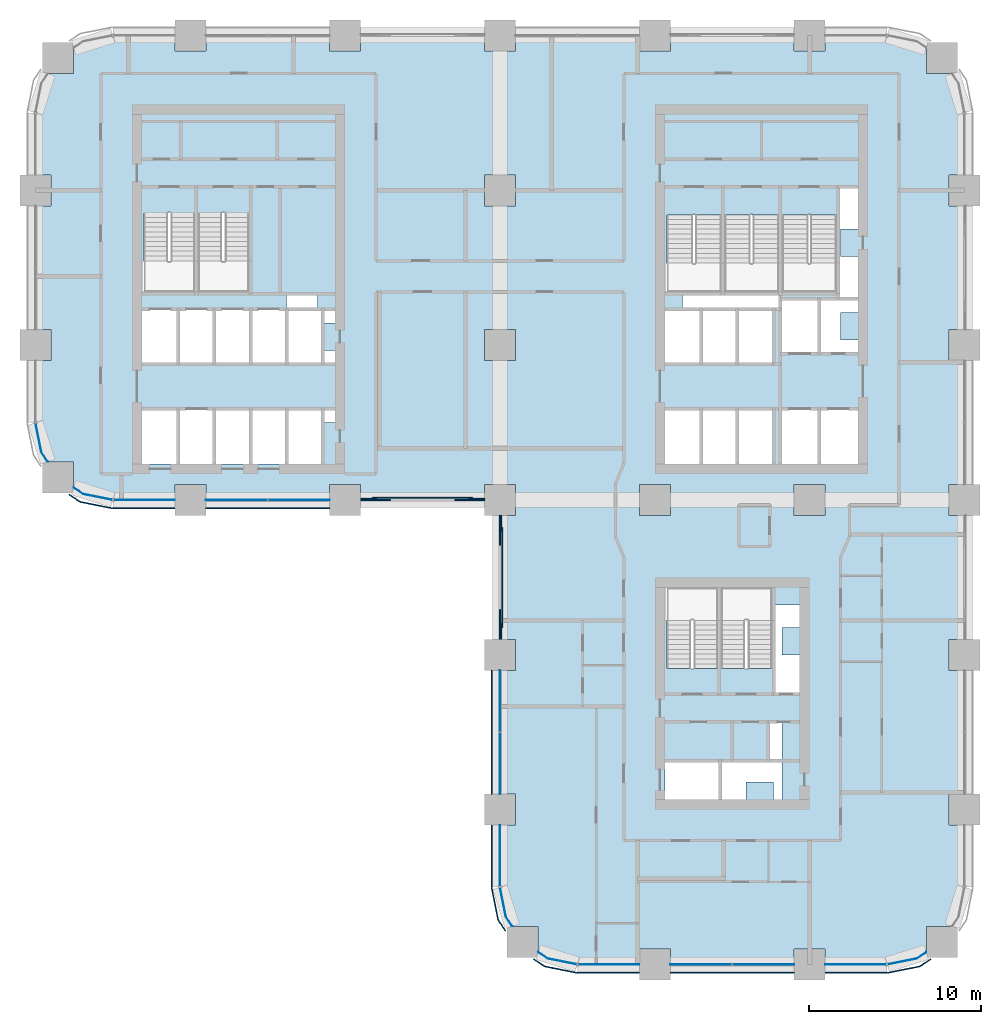
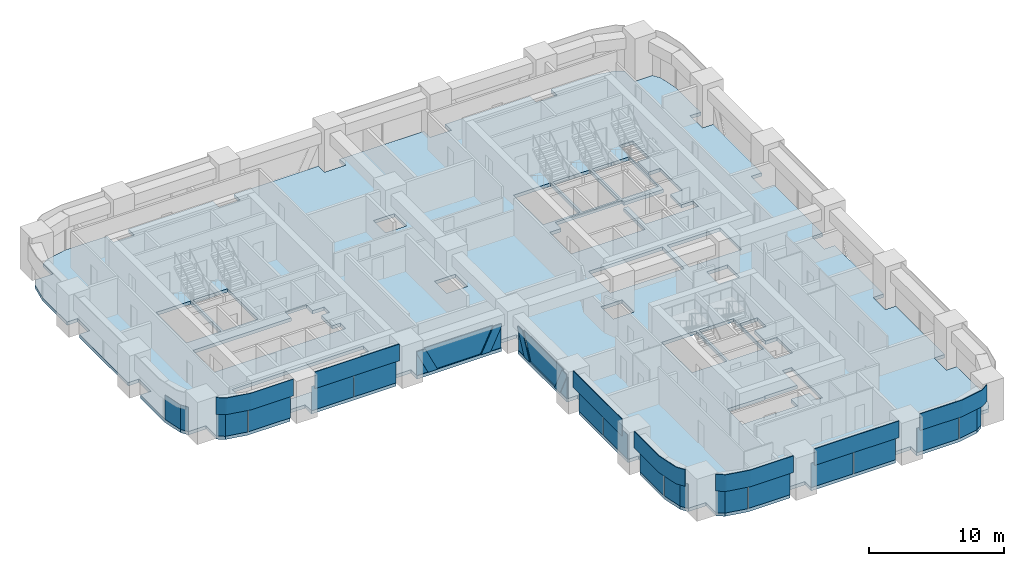
# One storey, part 10 of 20: 32 plates, 1 slab, 10 elements without a shape of their own.
"""IFC4 building model written with IfcOpenShell, lengths in metres."""

import ifcopenshell
import ifcopenshell.guid

model = None  # the IFC model being written
_history = None  # IfcOwnerHistory: only IFC2X3 demands one
_inside = {}  # id of a spatial element -> (the spatial element, [elements in it])
_under = {}  # id of a project, library or spatial element -> (it, [spatial elements below it])
_declared = {}  # id of a project -> (the project, [libraries it declares])
_typed = {}  # id of a type object -> (the type object, [elements of that type])
_made_of = {}  # id of a material, layer set ... -> (it, [elements and type objects made of it])


def new_model(schema):
    """Start an empty IFC model of exactly this schema.

    Asked for "IFC4X3", IfcOpenShell would pick the latest addendum, in which some entities
    have other attributes; the version numbers below select the first issue.
    IFC2X3 requires an IfcOwnerHistory on every rooted entity: one is made here for all.
    """
    global model, _history
    if schema == "IFC4X3":
        model = ifcopenshell.file(schema_version=(4, 3, 0, 0))
    else:
        model = ifcopenshell.file(schema=schema)
    _inside.clear()
    _under.clear()
    _declared.clear()
    _typed.clear()
    _made_of.clear()
    _history = None
    if model.schema == "IFC2X3":
        org = make("IfcOrganization", Name="unknown")
        user = make(
            "IfcPersonAndOrganization",
            ThePerson=make("IfcPerson", FamilyName="unknown"),
            TheOrganization=org,
        )
        app = make(
            "IfcApplication",
            ApplicationDeveloper=org,
            Version="unknown",
            ApplicationFullName="unknown",
            ApplicationIdentifier="unknown",
        )
        _history = make(
            "IfcOwnerHistory",
            OwningUser=user,
            OwningApplication=app,
            ChangeAction="ADDED",
            CreationDate=0,
        )
    return model


def make(cls, **values):
    """One entity of the class cls with the attributes given. An attribute that is None is left unset."""
    return model.create_entity(
        cls, **{name: value for name, value in values.items() if value is not None}
    )


def rooted(cls, **values):
    """An entity with a GlobalId (a new one), such as an element, a storey or a relation."""
    return make(cls, GlobalId=ifcopenshell.guid.new(), OwnerHistory=_history, **values)


def si_unit(unit_type, name, prefix=None):
    """IfcSIUnit, for example si_unit("LENGTHUNIT", "METRE", prefix="MILLI")."""
    return make("IfcSIUnit", UnitType=unit_type, Prefix=prefix, Name=name)


def assignment(units):
    """IfcUnitAssignment: the units of a project."""
    return None if units is None else make("IfcUnitAssignment", Units=units)


def point(xyz):
    """IfcCartesianPoint."""
    return None if xyz is None else make("IfcCartesianPoint", Coordinates=xyz)


def direction(xyz):
    """IfcDirection."""
    return None if xyz is None else make("IfcDirection", DirectionRatios=xyz)


def frame(location, z_axis=None, x_axis=None):
    """IfcAxis2Placement3D, a coordinate frame: its origin and axes. An axis left out is left unset."""
    return make(
        "IfcAxis2Placement3D",
        Location=point(location),
        Axis=direction(z_axis),
        RefDirection=direction(x_axis),
    )


def frame_2d(location, x_axis=None):
    """IfcAxis2Placement2D, a coordinate frame in the plane: its origin and x axis."""
    return make(
        "IfcAxis2Placement2D", Location=point(location), RefDirection=direction(x_axis)
    )


def origin():
    """The frame at (0, 0, 0) with its axes left unset."""
    return frame((0.0, 0.0, 0.0))


def origin_2d():
    """The frame at (0, 0) in the plane with its x axis left unset."""
    return frame_2d((0.0, 0.0))


def place(relative_to, where):
    """IfcLocalPlacement: puts the frame where relative to a parent placement (None: the world)."""
    return make(
        "IfcLocalPlacement", PlacementRelTo=relative_to, RelativePlacement=where
    )


def context(
    kind, dimensions, precision=None, world=None, true_north=None, identifier=None
):
    """IfcGeometricRepresentationContext, for example the 3D "Model" context."""
    return make(
        "IfcGeometricRepresentationContext",
        ContextIdentifier=identifier,
        ContextType=kind,
        CoordinateSpaceDimension=dimensions,
        Precision=precision,
        WorldCoordinateSystem=world,
        TrueNorth=true_north,
    )


def subcontext(parent, identifier, kind, view, scale=None):
    """IfcGeometricRepresentationSubContext, for example "Body" below "Model"."""
    return make(
        "IfcGeometricRepresentationSubContext",
        ContextIdentifier=identifier,
        ContextType=kind,
        ParentContext=parent,
        TargetScale=scale,
        TargetView=view,
    )


def project(units=None, contexts=None):
    """IfcProject with its units and contexts."""
    return rooted(
        "IfcProject",
        Name="project",
        RepresentationContexts=contexts,
        UnitsInContext=assignment(units),
    )


def spatial(cls, under=None, at=None, **own):
    """A site, building, storey or space (cls), placed at a placement, below another one or the project."""
    s = rooted(cls, ObjectPlacement=at, **own)
    if under is not None:
        _under.setdefault(under.id(), (under, []))[1].append(s)
    return s


def polyline(points):
    """IfcPolyline through the points."""
    return make("IfcPolyline", Points=[point(p) for p in points])


def profile(cls, at=None, kind="AREA", **sizes):
    """A parametric profile (cls). Its sizes go by their IFC names, for example OverallWidth=200.0."""
    return make(cls, ProfileType=kind, Position=at, **sizes)


def rectangle(**sizes):
    """IfcRectangleProfileDef."""
    return profile("IfcRectangleProfileDef", **sizes)


def outline(outer, holes=None, kind="AREA"):
    """IfcArbitraryClosedProfileDef: a profile drawn as a closed curve; with holes, ...WithVoids."""
    if holes is None:
        return make("IfcArbitraryClosedProfileDef", ProfileType=kind, OuterCurve=outer)
    return make(
        "IfcArbitraryProfileDefWithVoids",
        ProfileType=kind,
        OuterCurve=outer,
        InnerCurves=holes,
    )


def extrude(swept, where, along, depth):
    """IfcExtrudedAreaSolid: the profile swept, set in the frame where, extruded along a direction by depth."""
    return make(
        "IfcExtrudedAreaSolid",
        SweptArea=swept,
        Position=where,
        ExtrudedDirection=direction(along),
        Depth=depth,
    )


def shape(context_of_items, identifier, shape_type, items):
    """IfcShapeRepresentation: the items that make up one representation, for example the "Body"."""
    return make(
        "IfcShapeRepresentation",
        ContextOfItems=context_of_items,
        RepresentationIdentifier=identifier,
        RepresentationType=shape_type,
        Items=items,
    )


def material(Name=None, Category=None):
    """IfcMaterial."""
    return make("IfcMaterial", Name=Name, Category=Category)


def layer(
    of_material, thickness, ventilated=None, Name=None, Category=None, Priority=None
):
    """IfcMaterialLayer: one layer of a wall or slab, of a material (None: an air gap)."""
    return make(
        "IfcMaterialLayer",
        Material=of_material,
        LayerThickness=thickness,
        IsVentilated=ventilated,
        Name=Name,
        Category=Category,
        Priority=Priority,
    )


def layer_set(layers, Name=None):
    """IfcMaterialLayerSet."""
    return make("IfcMaterialLayerSet", MaterialLayers=layers, LayerSetName=Name)


def made_of(thing, what):
    """Note that an element or type object is made of a material, layer set ...; save() writes the relation."""
    if what is not None:
        _made_of.setdefault(what.id(), (what, []))[1].append(thing)
    return thing


def type_object(cls, material=None, **own):
    """A type object (cls), such as IfcWallType, which elements share."""
    return made_of(rooted(cls, **own), material)


def element(
    cls,
    number,
    at=None,
    inside=None,
    cuts=None,
    type_object=None,
    material=None,
    context=None,
    identifier="Body",
    shape_type=None,
    held_by="IfcProductDefinitionShape",
    body=None,
    shapes=None,
    **own,
):
    """One element of the class cls, such as IfcWall. Its Tag is "e" and its number.

    at: its placement. inside: the storey or other place that contains it. cuts: it is an
    opening in that element (IfcRelVoidsElement). A single representation is given by context,
    identifier, shape_type and body (its items); several are given by shapes. held_by: the class
    of the entity that holds the representations. save() writes the other relations.
    """
    e = rooted(cls, Tag="e%d" % number, ObjectPlacement=at, **own)
    if body is not None:
        shapes = [shape(context, identifier, shape_type, body)]
    if shapes is not None:
        e.Representation = make(held_by, Representations=shapes)
    if inside is not None:
        _inside.setdefault(inside.id(), (inside, []))[1].append(e)
    if cuts is not None:
        rooted(
            "IfcRelVoidsElement", RelatingBuildingElement=cuts, RelatedOpeningElement=e
        )
    if type_object is not None:
        _typed.setdefault(type_object.id(), (type_object, []))[1].append(e)
    return made_of(e, material)


def aggregate(whole, parts):
    """IfcRelAggregates: a whole, such as a stair, and the parts it consists of."""
    return rooted("IfcRelAggregates", RelatingObject=whole, RelatedObjects=parts)


def save(model, path):
    """Write the relations noted so far, then the file.

    IfcRelAggregates (storeys below a building ...), IfcRelContainedInSpatialStructure (elements
    in a storey), IfcRelDefinesByType, IfcRelAssociatesMaterial and IfcRelDeclares: one each for
    every whole, place, type object, material and project.
    """
    for whole, parts in _under.values():
        aggregate(whole, parts)
    for where, things in _inside.values():
        rooted(
            "IfcRelContainedInSpatialStructure",
            RelatedElements=things,
            RelatingStructure=where,
        )
    for kind, things in _typed.values():
        rooted("IfcRelDefinesByType", RelatedObjects=things, RelatingType=kind)
    for what, things in _made_of.values():
        rooted("IfcRelAssociatesMaterial", RelatedObjects=things, RelatingMaterial=what)
    for by, libraries in _declared.values():
        rooted("IfcRelDeclares", RelatingContext=by, RelatedDefinitions=libraries)
    model.write(path)


model = new_model("IFC4")

# Units and contexts
model_context = context("Model", 3, precision=1e-05, world=origin(), true_north=direction((0.0, 1.0)))
body_context = subcontext(model_context, "Body", "Model", "MODEL_VIEW")
ifc_project = project(units=[si_unit("LENGTHUNIT", "METRE"), si_unit("AREAUNIT", "SQUARE_METRE"), si_unit("VOLUMEUNIT", "CUBIC_METRE"), si_unit("PLANEANGLEUNIT", "RADIAN"), si_unit("MASSUNIT", "GRAM", prefix="KILO")], contexts=[model_context])

# Site, building, storey
site_placement = place(None, origin())
site = spatial("IfcSite", under=ifc_project, at=site_placement, CompositionType="ELEMENT")
building_placement = place(site_placement, origin())
building = spatial("IfcBuilding", under=site, at=building_placement, Name="Tessera Arch", CompositionType="ELEMENT")
storey_placement = place(building_placement, frame((0.0, 0.0, 119.60009765625)))
storey = spatial("IfcBuildingStorey", under=building, at=storey_placement, Name="L28", CompositionType="ELEMENT", Elevation=119.60009765625)

# Curtain wall, plates
ifc_material_1 = material(Name="CW1 curtain wall")
curtain_wall_type_1 = type_object("IfcCurtainWallType", Name="CW1 curtain wall", PredefinedType="NOTDEFINED", material=ifc_material_1)
curtain_wall_1_placement = place(storey_placement, origin())
curtain_wall_1 = element("IfcCurtainWall", 1, at=curtain_wall_1_placement, inside=storey, type_object=curtain_wall_type_1, Name="CW1 curtain wall S27.0/1 L28", PredefinedType="NOTDEFINED")
ifc_material_2 = material(Name="Clear low-e glass", Category="glass")
ifc_material_3 = material(Name="Clear low-e glass", Category="glass")
ifc_layer_1 = layer(ifc_material_3, 0.028076171875)
ifc_layer_set_1 = layer_set([ifc_layer_1], Name="CW1 glass panel")
plate_type_1 = type_object("IfcPlateType", Name="CW1 glass panel", PredefinedType="CURTAIN_PANEL", material=ifc_layer_set_1)
plate_1_placement = place(storey_placement, frame((11.68505859375, 27.0, 0.0), z_axis=(0.0, 0.0, 1.0), x_axis=(1.0, 0.0, 0.0)))
plate_1 = element("IfcPlate", 2, at=plate_1_placement, type_object=plate_type_1, material=ifc_material_2, Name="CW1 glass panel S27.0/1 1.1.1", PredefinedType="CURTAIN_PANEL", context=body_context, shape_type="SweptSolid", body=[
    extrude(rectangle(XDim=3.570068359375, YDim=0.028076171875, at=origin_2d()), origin(), (0.0, 0.0, 1.0), 2.199951171875),
])
plate_2_placement = place(storey_placement, frame((15.31494140625, 27.0, 0.0), z_axis=(0.0, 0.0, 1.0), x_axis=(1.0, 0.0, 0.0)))
plate_2 = element("IfcPlate", 3, at=plate_2_placement, type_object=plate_type_1, material=ifc_material_2, Name="CW1 glass panel S27.0/1 1.2.1", PredefinedType="CURTAIN_PANEL", context=body_context, shape_type="SweptSolid", body=[
    extrude(rectangle(XDim=3.570068359375, YDim=0.028076171875, at=origin_2d()), origin(), (0.0, 0.0, 1.0), 2.199951171875),
])

curtain_wall_2_placement = place(storey_placement, origin())
curtain_wall_2 = element("IfcCurtainWall", 4, at=curtain_wall_2_placement, inside=storey, type_object=curtain_wall_type_1, Name="CW1 curtain wall W27.0/1 L28", PredefinedType="NOTDEFINED")
plate_3_placement = place(storey_placement, frame((27.0, 15.31494140625, 0.0), z_axis=(0.0, 0.0, 1.0), x_axis=(0.0, -1.0, 0.0)))
plate_3 = element("IfcPlate", 5, at=plate_3_placement, type_object=plate_type_1, material=ifc_material_2, Name="CW1 glass panel W27.0/1 1.1.1", PredefinedType="CURTAIN_PANEL", context=body_context, shape_type="SweptSolid", body=[
    extrude(rectangle(XDim=3.570068359375, YDim=0.028076171875, at=origin_2d()), origin(), (0.0, 0.0, 1.0), 2.199951171875),
])
plate_4_placement = place(storey_placement, frame((27.0, 11.68505859375, 0.0), z_axis=(0.0, 0.0, 1.0), x_axis=(0.0, -1.0, 0.0)))
plate_4 = element("IfcPlate", 6, at=plate_4_placement, type_object=plate_type_1, material=ifc_material_2, Name="CW1 glass panel W27.0/1 1.2.1", PredefinedType="CURTAIN_PANEL", context=body_context, shape_type="SweptSolid", body=[
    extrude(rectangle(XDim=3.570068359375, YDim=0.028076171875, at=origin_2d()), origin(), (0.0, 0.0, 1.0), 2.199951171875),
])

curtain_wall_3_placement = place(storey_placement, origin())
curtain_wall_3 = element("IfcCurtainWall", 7, at=curtain_wall_3_placement, inside=storey, type_object=curtain_wall_type_1, Name="CW1 curtain wall S0.27/1 L28", PredefinedType="NOTDEFINED")
plate_5_placement = place(storey_placement, frame((38.68505859375, 0.0, 0.0), z_axis=(0.0, 0.0, 1.0), x_axis=(1.0, 0.0, 0.0)))
plate_5 = element("IfcPlate", 8, at=plate_5_placement, type_object=plate_type_1, material=ifc_material_2, Name="CW1 glass panel S0.27/1 1.1.1", PredefinedType="CURTAIN_PANEL", context=body_context, shape_type="SweptSolid", body=[
    extrude(rectangle(XDim=3.570068359375, YDim=0.028076171875, at=origin_2d()), origin(), (0.0, 0.0, 1.0), 2.199951171875),
])
plate_6_placement = place(storey_placement, frame((42.31494140625, 0.0, 0.0), z_axis=(0.0, 0.0, 1.0), x_axis=(1.0, 0.0, 0.0)))
plate_6 = element("IfcPlate", 9, at=plate_6_placement, type_object=plate_type_1, material=ifc_material_2, Name="CW1 glass panel S0.27/1 1.2.1", PredefinedType="CURTAIN_PANEL", context=body_context, shape_type="SweptSolid", body=[
    extrude(rectangle(XDim=3.570068359375, YDim=0.028076171875, at=origin_2d()), origin(), (0.0, 0.0, 1.0), 2.199951171875),
])

# Plate
ifc_material_4 = material(Name="Pale anodised aluminium panel", Category="aluminium")
ifc_layer_2 = layer(ifc_material_4, 0.06005859375)
ifc_layer_set_2 = layer_set([ifc_layer_2], Name="CW1 spandrel panel")
plate_type_2 = type_object("IfcPlateType", Name="CW1 spandrel panel", PredefinedType="CURTAIN_PANEL", material=ifc_layer_set_2)
plate_7_placement = place(storey_placement, frame((13.5, 26.52001953125, 2.2998046875), z_axis=(0.0, 0.0, 1.0), x_axis=(1.0, 0.0, 0.0)))
plate_7 = element("IfcPlate", 10, at=plate_7_placement, type_object=plate_type_2, Name="CW1 spandrel panel S27.0/1", PredefinedType="CURTAIN_PANEL", context=body_context, shape_type="SweptSolid", body=[
    extrude(rectangle(XDim=7.199951171875, YDim=0.06005859375, at=origin_2d()), origin(), (0.0, 0.0, 1.0), 1.5),
])

aggregate(curtain_wall_1, [plate_1, plate_2, plate_7])

plate_8_placement = place(storey_placement, frame((26.52001953125, 13.5, 2.2998046875), z_axis=(0.0, 0.0, 1.0), x_axis=(0.0, -1.0, 0.0)))
plate_8 = element("IfcPlate", 11, at=plate_8_placement, type_object=plate_type_2, Name="CW1 spandrel panel W27.0/1", PredefinedType="CURTAIN_PANEL", context=body_context, shape_type="SweptSolid", body=[
    extrude(rectangle(XDim=7.199951171875, YDim=0.06005859375, at=origin_2d()), origin(), (0.0, 0.0, 1.0), 1.5),
])

aggregate(curtain_wall_2, [plate_3, plate_4, plate_8])

plate_9_placement = place(storey_placement, frame((40.5, -0.47998046875, 2.2998046875), z_axis=(0.0, 0.0, 1.0), x_axis=(1.0, 0.0, 0.0)))
plate_9 = element("IfcPlate", 12, at=plate_9_placement, type_object=plate_type_2, Name="CW1 spandrel panel S0.27/1", PredefinedType="CURTAIN_PANEL", context=body_context, shape_type="SweptSolid", body=[
    extrude(rectangle(XDim=7.199951171875, YDim=0.06005859375, at=origin_2d()), origin(), (0.0, 0.0, 1.0), 1.5),
])

aggregate(curtain_wall_3, [plate_5, plate_6, plate_9])

# Curtain wall, plate
ifc_material_5 = material(Name="CW2 curtain wall")
curtain_wall_type_2 = type_object("IfcCurtainWallType", Name="CW2 curtain wall", PredefinedType="NOTDEFINED", material=ifc_material_5)
curtain_wall_4_placement = place(storey_placement, origin())
curtain_wall_4 = element("IfcCurtainWall", 13, at=curtain_wall_4_placement, inside=storey, type_object=curtain_wall_type_2, Name="CW2 curtain wall W0.27/2 L28", PredefinedType="NOTDEFINED")
ifc_material_6 = material(Name="Clear low-e glass", Category="glass")
ifc_layer_3 = layer(ifc_material_6, 0.028076171875)
ifc_layer_set_3 = layer_set([ifc_layer_3], Name="CW2 glass panel")
plate_type_3 = type_object("IfcPlateType", Name="CW2 glass panel", PredefinedType="CURTAIN_PANEL", material=ifc_layer_set_3)
plate_10_placement = place(storey_placement, origin())
plate_10 = element("IfcPlate", 14, at=plate_10_placement, type_object=plate_type_3, material=ifc_material_2, Name="CW2 curved glass panel W0.27/2 2.1", PredefinedType="CURTAIN_PANEL", context=body_context, shape_type="SweptSolid", body=[
    extrude(outline(polyline([(0.355712890625, 29.783447265625), (0.021484375, 31.46337890625), (-0.005859375, 31.4580078125), (0.329345703125, 29.7724609375), (0.705078125, 29.210205078125), (0.728271484375, 29.225830078125), (0.355712890625, 29.783447265625)])), origin(), (0.0, 0.0, 1.0), 2.199951171875),
])
aggregate(curtain_wall_4, [plate_10])

# Curtain wall, plates
curtain_wall_5_placement = place(storey_placement, origin())
curtain_wall_5 = element("IfcCurtainWall", 15, at=curtain_wall_5_placement, inside=storey, type_object=curtain_wall_type_2, Name="CW2 curtain wall S27.0/0 L28", PredefinedType="NOTDEFINED")
plate_11_placement = place(storey_placement, frame((6.320068359375, 27.0, 0.0), z_axis=(0.0, 0.0, 1.0), x_axis=(1.0, 0.0, 0.0)))
plate_11 = element("IfcPlate", 16, at=plate_11_placement, type_object=plate_type_3, material=ifc_material_2, Name="CW2 glass panel S27.0/0 1.1", PredefinedType="CURTAIN_PANEL", context=body_context, shape_type="SweptSolid", body=[
    extrude(rectangle(XDim=3.56005859375, YDim=0.028076171875, at=origin_2d()), origin(), (0.0, 0.0, 1.0), 2.199951171875),
])
plate_12_placement = place(storey_placement, origin())
plate_12 = element("IfcPlate", 17, at=plate_12_placement, type_object=plate_type_3, material=ifc_material_2, Name="CW2 curved glass panel S27.0/0 2.1", PredefinedType="CURTAIN_PANEL", context=body_context, shape_type="SweptSolid", body=[
    extrude(outline(polyline([(2.783447265625, 27.355712890625), (2.225830078125, 27.728271484375), (2.210205078125, 27.705078125), (2.7724609375, 27.329345703125), (4.4580078125, 26.994140625), (4.46337890625, 27.021484375), (2.783447265625, 27.355712890625)])), origin(), (0.0, 0.0, 1.0), 2.199951171875),
])

curtain_wall_6_placement = place(storey_placement, origin())
curtain_wall_6 = element("IfcCurtainWall", 18, at=curtain_wall_6_placement, inside=storey, type_object=curtain_wall_type_2, Name="CW2 curtain wall W27.0/2 L28", PredefinedType="NOTDEFINED")
plate_13_placement = place(storey_placement, frame((27.0, 6.320068359375, 0.0), z_axis=(0.0, 0.0, 1.0), x_axis=(0.0, -1.0, 0.0)))
plate_13 = element("IfcPlate", 19, at=plate_13_placement, type_object=plate_type_3, material=ifc_material_2, Name="CW2 glass panel W27.0/2 1.1", PredefinedType="CURTAIN_PANEL", context=body_context, shape_type="SweptSolid", body=[
    extrude(rectangle(XDim=3.56005859375, YDim=0.028076171875, at=origin_2d()), origin(), (0.0, 0.0, 1.0), 2.199951171875),
])
plate_14_placement = place(storey_placement, origin())
plate_14 = element("IfcPlate", 20, at=plate_14_placement, type_object=plate_type_3, material=ifc_material_2, Name="CW2 curved glass panel W27.0/2 2.1", PredefinedType="CURTAIN_PANEL", context=body_context, shape_type="SweptSolid", body=[
    extrude(outline(polyline([(27.355712890625, 2.783447265625), (27.021484375, 4.46337890625), (26.994140625, 4.4580078125), (27.329345703125, 2.7724609375), (27.705078125, 2.210205078125), (27.728271484375, 2.225830078125), (27.355712890625, 2.783447265625)])), origin(), (0.0, 0.0, 1.0), 2.199951171875),
])

curtain_wall_7_placement = place(storey_placement, origin())
curtain_wall_7 = element("IfcCurtainWall", 21, at=curtain_wall_7_placement, inside=storey, type_object=curtain_wall_type_2, Name="CW2 curtain wall S0.27/0 L28", PredefinedType="NOTDEFINED")
plate_15_placement = place(storey_placement, frame((33.320068359375, 0.0, 0.0), z_axis=(0.0, 0.0, 1.0), x_axis=(1.0, 0.0, 0.0)))
plate_15 = element("IfcPlate", 22, at=plate_15_placement, type_object=plate_type_3, material=ifc_material_2, Name="CW2 glass panel S0.27/0 1.1", PredefinedType="CURTAIN_PANEL", context=body_context, shape_type="SweptSolid", body=[
    extrude(rectangle(XDim=3.56005859375, YDim=0.028076171875, at=origin_2d()), origin(), (0.0, 0.0, 1.0), 2.199951171875),
])
plate_16_placement = place(storey_placement, origin())
plate_16 = element("IfcPlate", 23, at=plate_16_placement, type_object=plate_type_3, material=ifc_material_2, Name="CW2 curved glass panel S0.27/0 2.1", PredefinedType="CURTAIN_PANEL", context=body_context, shape_type="SweptSolid", body=[
    extrude(outline(polyline([(29.783447265625, 0.355712890625), (29.225830078125, 0.728271484375), (29.210205078125, 0.705078125), (29.7724609375, 0.329345703125), (31.4580078125, -0.005859375), (31.46337890625, 0.021484375), (29.783447265625, 0.355712890625)])), origin(), (0.0, 0.0, 1.0), 2.199951171875),
])

curtain_wall_8_placement = place(storey_placement, origin())
curtain_wall_8 = element("IfcCurtainWall", 24, at=curtain_wall_8_placement, inside=storey, type_object=curtain_wall_type_2, Name="CW2 curtain wall S0.27/2 L28", PredefinedType="NOTDEFINED")
plate_17_placement = place(storey_placement, frame((47.679931640625, 0.0, 0.0), z_axis=(0.0, 0.0, 1.0), x_axis=(1.0, 0.0, 0.0)))
plate_17 = element("IfcPlate", 25, at=plate_17_placement, type_object=plate_type_3, material=ifc_material_2, Name="CW2 glass panel S0.27/2 1.1", PredefinedType="CURTAIN_PANEL", context=body_context, shape_type="SweptSolid", body=[
    extrude(rectangle(XDim=3.56005859375, YDim=0.028076171875, at=origin_2d()), origin(), (0.0, 0.0, 1.0), 2.199951171875),
])
plate_18_placement = place(storey_placement, origin())
plate_18 = element("IfcPlate", 26, at=plate_18_placement, type_object=plate_type_3, material=ifc_material_2, Name="CW2 curved glass panel S0.27/2 2.1", PredefinedType="CURTAIN_PANEL", context=body_context, shape_type="SweptSolid", body=[
    extrude(outline(polyline([(51.216552734375, 0.355712890625), (49.53662109375, 0.021484375), (49.5419921875, -0.005859375), (51.2275390625, 0.329345703125), (51.789794921875, 0.705078125), (51.774169921875, 0.728271484375), (51.216552734375, 0.355712890625)])), origin(), (0.0, 0.0, 1.0), 2.199951171875),
])

# Plate
ifc_material_7 = material(Name="Pale anodised aluminium panel", Category="aluminium")
ifc_layer_4 = layer(ifc_material_7, 0.06005859375)
ifc_layer_set_4 = layer_set([ifc_layer_4], Name="CW2 spandrel panel")
plate_type_4 = type_object("IfcPlateType", Name="CW2 spandrel panel", PredefinedType="CURTAIN_PANEL", material=ifc_layer_set_4)
plate_19_placement = place(storey_placement, frame((0.0, 0.0, 2.2998046875)))
plate_19 = element("IfcPlate", 27, at=plate_19_placement, type_object=plate_type_4, Name="CW2 spandrel panel S27.0/0", PredefinedType="CURTAIN_PANEL", context=body_context, shape_type="SweptSolid", body=[
    extrude(outline(polyline([(2.52734375, 26.96875), (1.968017578125, 27.342529296875), (1.9345703125, 27.292724609375), (2.4951171875, 26.91796875), (2.537353515625, 26.892822265625), (2.582763671875, 26.871337890625), (2.6298828125, 26.8544921875), (2.677734375, 26.842529296875), (4.401123046875, 26.499755859375), (4.449951171875, 26.492431640625), (4.499267578125, 26.489990234375), (8.10009765625, 26.489990234375), (8.10009765625, 26.550048828125), (4.500732421875, 26.550048828125), (4.455810546875, 26.55224609375), (4.411376953125, 26.558837890625), (2.69091796875, 26.90087890625), (2.647216796875, 26.911865234375), (2.605712890625, 26.9267578125), (2.565673828125, 26.94580078125), (2.52734375, 26.96875)])), origin(), (0.0, 0.0, 1.0), 1.5),
])

aggregate(curtain_wall_5, [plate_11, plate_12, plate_19])

plate_20_placement = place(storey_placement, frame((0.0, 0.0, 2.2998046875)))
plate_20 = element("IfcPlate", 28, at=plate_20_placement, type_object=plate_type_4, Name="CW2 spandrel panel W27.0/2", PredefinedType="CURTAIN_PANEL", context=body_context, shape_type="SweptSolid", body=[
    extrude(outline(polyline([(26.550048828125, 4.500732421875), (26.550048828125, 8.10009765625), (26.489990234375, 8.10009765625), (26.489990234375, 4.499267578125), (26.492431640625, 4.449951171875), (26.499755859375, 4.401123046875), (26.842529296875, 2.677734375), (26.8544921875, 2.6298828125), (26.871337890625, 2.582763671875), (26.892822265625, 2.537353515625), (26.91796875, 2.4951171875), (27.292724609375, 1.9345703125), (27.342529296875, 1.968017578125), (26.96875, 2.52734375), (26.94580078125, 2.565673828125), (26.9267578125, 2.605712890625), (26.911865234375, 2.647216796875), (26.90087890625, 2.69091796875), (26.558837890625, 4.411376953125), (26.55224609375, 4.455810546875), (26.550048828125, 4.500732421875)])), origin(), (0.0, 0.0, 1.0), 1.5),
])

aggregate(curtain_wall_6, [plate_13, plate_14, plate_20])

plate_21_placement = place(storey_placement, frame((0.0, 0.0, 2.2998046875)))
plate_21 = element("IfcPlate", 29, at=plate_21_placement, type_object=plate_type_4, Name="CW2 spandrel panel S0.27/0", PredefinedType="CURTAIN_PANEL", context=body_context, shape_type="SweptSolid", body=[
    extrude(outline(polyline([(29.52734375, -0.03125), (28.968017578125, 0.342529296875), (28.9345703125, 0.292724609375), (29.4951171875, -0.08203125), (29.537353515625, -0.107177734375), (29.582763671875, -0.128662109375), (29.6298828125, -0.1455078125), (29.677734375, -0.157470703125), (31.401123046875, -0.500244140625), (31.449951171875, -0.507568359375), (31.499267578125, -0.510009765625), (35.10009765625, -0.510009765625), (35.10009765625, -0.449951171875), (31.500732421875, -0.449951171875), (31.455810546875, -0.44775390625), (31.411376953125, -0.441162109375), (29.69091796875, -0.09912109375), (29.647216796875, -0.088134765625), (29.605712890625, -0.0732421875), (29.565673828125, -0.05419921875), (29.52734375, -0.03125)])), origin(), (0.0, 0.0, 1.0), 1.5),
])

aggregate(curtain_wall_7, [plate_15, plate_16, plate_21])

plate_22_placement = place(storey_placement, frame((0.0, 0.0, 2.2998046875)))
plate_22 = element("IfcPlate", 30, at=plate_22_placement, type_object=plate_type_4, Name="CW2 spandrel panel S0.27/2", PredefinedType="CURTAIN_PANEL", context=body_context, shape_type="SweptSolid", body=[
    extrude(outline(polyline([(49.499267578125, -0.449951171875), (45.89990234375, -0.449951171875), (45.89990234375, -0.510009765625), (49.500732421875, -0.510009765625), (49.550048828125, -0.507568359375), (49.598876953125, -0.500244140625), (51.322265625, -0.157470703125), (51.3701171875, -0.1455078125), (51.417236328125, -0.128662109375), (51.462646484375, -0.107177734375), (51.5048828125, -0.08203125), (52.0654296875, 0.292724609375), (52.031982421875, 0.342529296875), (51.47265625, -0.03125), (51.434326171875, -0.05419921875), (51.394287109375, -0.0732421875), (51.352783203125, -0.088134765625), (51.30908203125, -0.09912109375), (49.588623046875, -0.441162109375), (49.544189453125, -0.44775390625), (49.499267578125, -0.449951171875)])), origin(), (0.0, 0.0, 1.0), 1.5),
])

aggregate(curtain_wall_8, [plate_17, plate_18, plate_22])

# Curtain wall, plates
ifc_material_8 = material(Name="CW3 curtain wall")
curtain_wall_type_3 = type_object("IfcCurtainWallType", Name="CW3 curtain wall", PredefinedType="NOTDEFINED", material=ifc_material_8)
curtain_wall_9_placement = place(storey_placement, origin())
curtain_wall_9 = element("IfcCurtainWall", 31, at=curtain_wall_9_placement, inside=storey, type_object=curtain_wall_type_3, Name="CW3 curtain wall S27.0/2 L28", PredefinedType="NOTDEFINED")
ifc_material_9 = material(Name="Pale anodised aluminium panel", Category="aluminium")
ifc_layer_5 = layer(ifc_material_9, 0.06005859375)
ifc_layer_set_5 = layer_set([ifc_layer_5], Name="CW3 diagonal panel")
plate_type_5 = type_object("IfcPlateType", Name="CW3 diagonal panel", PredefinedType="CURTAIN_PANEL", material=ifc_layer_set_5)
plate_23_placement = place(storey_placement, frame((26.10009765625, 26.969970703125, 2.199951171875), z_axis=(0.0, -1.0, 0.0), x_axis=(-1.0, 0.0, 0.0)))
plate_23 = element("IfcPlate", 32, at=plate_23_placement, type_object=plate_type_5, Name="CW3 diagonal panel S27.0/2 1", PredefinedType="CURTAIN_PANEL", context=body_context, shape_type="SweptSolid", body=[
    extrude(outline(polyline([(0.0, 0.0), (0.688232421875, 0.0), (1.744140625, 2.199951171875), (0.944091796875, 2.199951171875), (0.0, 0.233642578125), (0.0, 0.0)])), origin(), (0.0, 0.0, -1.0), 0.06005859375),
])
plate_24_placement = place(storey_placement, frame((18.89990234375, 26.969970703125, 2.199951171875), z_axis=(0.0, -1.0, 0.0), x_axis=(0.0, 0.0, -1.0)))
plate_24 = element("IfcPlate", 33, at=plate_24_placement, type_object=plate_type_5, Name="CW3 diagonal panel S27.0/2 2", PredefinedType="CURTAIN_PANEL", context=body_context, shape_type="SweptSolid", body=[
    extrude(outline(polyline([(0.0, 0.0), (0.233642578125, 0.0), (2.199951171875, 0.944091796875), (2.199951171875, 1.744140625), (0.0, 0.688232421875), (0.0, 0.0)])), origin(), (0.0, 0.0, -1.0), 0.06005859375),
])
plate_25_placement = place(storey_placement, frame((18.89990234375, 27.030029296875, 0.0), z_axis=(0.0, -1.0, 0.0), x_axis=(1.0, 0.0, 0.0)))
plate_25 = element("IfcPlate", 34, at=plate_25_placement, type_object=plate_type_5, Name="CW3 diagonal panel S27.0/2 3", PredefinedType="CURTAIN_PANEL", context=body_context, shape_type="SweptSolid", body=[
    extrude(outline(polyline([(0.0, 0.0), (0.944091796875, 0.0), (0.0, 1.96630859375), (0.0, 0.0)])), origin(), (0.0, 0.0, -1.0), 0.06005859375),
])
plate_26_placement = place(storey_placement, frame((25.411865234375, 27.090087890625, 2.199951171875), z_axis=(0.0, -1.0, 0.0), x_axis=(-1.0, 0.0, 0.0)))
plate_26 = element("IfcPlate", 35, at=plate_26_placement, type_object=plate_type_5, Name="CW3 diagonal panel S27.0/2 4", PredefinedType="CURTAIN_PANEL", context=body_context, shape_type="SweptSolid", body=[
    extrude(outline(polyline([(0.0, 0.0), (5.82373046875, 0.0), (4.767822265625, 2.199951171875), (1.055908203125, 2.199951171875), (0.0, 0.0)])), origin(), (0.0, 0.0, -1.0), 0.06005859375),
])
plate_27_placement = place(storey_placement, frame((26.10009765625, 27.030029296875, 0.0), z_axis=(0.0, -1.0, 0.0), x_axis=(0.0, 0.0, 1.0)))
plate_27 = element("IfcPlate", 36, at=plate_27_placement, type_object=plate_type_5, Name="CW3 diagonal panel S27.0/2 5", PredefinedType="CURTAIN_PANEL", context=body_context, shape_type="SweptSolid", body=[
    extrude(outline(polyline([(0.0, 0.0), (1.96630859375, 0.0), (0.0, 0.944091796875), (0.0, 0.0)])), origin(), (0.0, 0.0, -1.0), 0.06005859375),
])
aggregate(curtain_wall_9, [plate_23, plate_24, plate_25, plate_26, plate_27])

curtain_wall_10_placement = place(storey_placement, origin())
curtain_wall_10 = element("IfcCurtainWall", 37, at=curtain_wall_10_placement, inside=storey, type_object=curtain_wall_type_3, Name="CW3 curtain wall W27.0/0 L28", PredefinedType="NOTDEFINED")
plate_28_placement = place(storey_placement, frame((26.969970703125, 18.89990234375, 2.199951171875), z_axis=(-1.0, 0.0, 0.0), x_axis=(0.0, 1.0, 0.0)))
plate_28 = element("IfcPlate", 38, at=plate_28_placement, type_object=plate_type_5, Name="CW3 diagonal panel W27.0/0 1", PredefinedType="CURTAIN_PANEL", context=body_context, shape_type="SweptSolid", body=[
    extrude(outline(polyline([(0.0, 0.0), (0.688232421875, 0.0), (1.744140625, 2.199951171875), (0.944091796875, 2.199951171875), (0.0, 0.233642578125), (0.0, 0.0)])), origin(), (0.0, 0.0, -1.0), 0.06005859375),
])
plate_29_placement = place(storey_placement, frame((26.969970703125, 26.10009765625, 2.199951171875), z_axis=(-1.0, 0.0, 0.0), x_axis=(0.0, 0.0, -1.0)))
plate_29 = element("IfcPlate", 39, at=plate_29_placement, type_object=plate_type_5, Name="CW3 diagonal panel W27.0/0 2", PredefinedType="CURTAIN_PANEL", context=body_context, shape_type="SweptSolid", body=[
    extrude(outline(polyline([(0.0, 0.0), (0.233642578125, 0.0), (2.199951171875, 0.944091796875), (2.199951171875, 1.744140625), (0.0, 0.688232421875), (0.0, 0.0)])), origin(), (0.0, 0.0, -1.0), 0.06005859375),
])
plate_30_placement = place(storey_placement, frame((27.030029296875, 26.10009765625, 0.0), z_axis=(-1.0, 0.0, 0.0), x_axis=(0.0, -1.0, 0.0)))
plate_30 = element("IfcPlate", 40, at=plate_30_placement, type_object=plate_type_5, Name="CW3 diagonal panel W27.0/0 3", PredefinedType="CURTAIN_PANEL", context=body_context, shape_type="SweptSolid", body=[
    extrude(outline(polyline([(0.0, 0.0), (0.944091796875, 0.0), (0.0, 1.96630859375), (0.0, 0.0)])), origin(), (0.0, 0.0, -1.0), 0.06005859375),
])
plate_31_placement = place(storey_placement, frame((27.090087890625, 19.588134765625, 2.199951171875), z_axis=(-1.0, 0.0, 0.0), x_axis=(0.0, 1.0, 0.0)))
plate_31 = element("IfcPlate", 41, at=plate_31_placement, type_object=plate_type_5, Name="CW3 diagonal panel W27.0/0 4", PredefinedType="CURTAIN_PANEL", context=body_context, shape_type="SweptSolid", body=[
    extrude(outline(polyline([(0.0, 0.0), (5.82373046875, 0.0), (4.767822265625, 2.199951171875), (1.055908203125, 2.199951171875), (0.0, 0.0)])), origin(), (0.0, 0.0, -1.0), 0.06005859375),
])
plate_32_placement = place(storey_placement, frame((27.030029296875, 18.89990234375, 0.0), z_axis=(-1.0, 0.0, 0.0), x_axis=(0.0, 0.0, 1.0)))
plate_32 = element("IfcPlate", 42, at=plate_32_placement, type_object=plate_type_5, Name="CW3 diagonal panel W27.0/0 5", PredefinedType="CURTAIN_PANEL", context=body_context, shape_type="SweptSolid", body=[
    extrude(outline(polyline([(0.0, 0.0), (1.96630859375, 0.0), (0.0, 0.944091796875), (0.0, 0.0)])), origin(), (0.0, 0.0, -1.0), 0.06005859375),
])
aggregate(curtain_wall_10, [plate_28, plate_29, plate_30, plate_31, plate_32])

# Slab
ifc_material_10 = material(Name="Concrete C40/50", Category="concrete")
ifc_layer_6 = layer(ifc_material_10, 0.300048828125)
ifc_layer_set_6 = layer_set([ifc_layer_6], Name="Floor slab 300 Concrete C40/50")
slab_type = type_object("IfcSlabType", Name="Floor slab 300 Concrete C40/50", PredefinedType="FLOOR", material=ifc_layer_set_6)
slab_placement = place(storey_placement, frame((0.0, 0.0, -0.300048828125)))
element("IfcSlab", 43, at=slab_placement, inside=storey, type_object=slab_type, Name="Floor slab L28 1", PredefinedType="FLOOR", context=body_context, shape_type="SweptSolid", body=[
    extrude(outline(polyline([(49.5, 54.0), (51.22216796875, 53.657470703125), (51.781982421875, 53.283447265625), (51.781982421875, 51.781982421875), (53.283447265625, 51.781982421875), (53.657470703125, 51.22216796875), (54.0, 49.5), (54.0, 45.89990234375), (53.10009765625, 45.89990234375), (53.10009765625, 44.10009765625), (54.0, 44.10009765625), (54.0, 36.89990234375), (53.10009765625, 36.89990234375), (53.10009765625, 35.10009765625), (54.0, 35.10009765625), (54.0, 27.89990234375), (53.10009765625, 27.89990234375), (53.10009765625, 26.10009765625), (54.0, 26.10009765625), (54.0, 18.89990234375), (53.10009765625, 18.89990234375), (53.10009765625, 17.10009765625), (54.0, 17.10009765625), (54.0, 9.89990234375), (53.10009765625, 9.89990234375), (53.10009765625, 8.10009765625), (54.0, 8.10009765625), (54.0, 4.5), (53.657470703125, 2.77783203125), (53.283447265625, 2.218017578125), (51.781982421875, 2.218017578125), (51.781982421875, 0.716552734375), (51.22216796875, 0.342529296875), (49.5, 0.0), (45.89990234375, 0.0), (45.89990234375, 0.89990234375), (44.10009765625, 0.89990234375), (44.10009765625, 0.0), (36.89990234375, 0.0), (36.89990234375, 0.89990234375), (35.10009765625, 0.89990234375), (35.10009765625, 0.0), (31.5, 0.0), (29.77783203125, 0.342529296875), (29.218017578125, 0.716552734375), (29.218017578125, 2.218017578125), (27.716552734375, 2.218017578125), (27.342529296875, 2.77783203125), (27.0, 4.5), (27.0, 8.10009765625), (27.89990234375, 8.10009765625), (27.89990234375, 9.89990234375), (27.0, 9.89990234375), (27.0, 17.10009765625), (27.89990234375, 17.10009765625), (27.89990234375, 18.89990234375), (27.0, 18.89990234375), (27.0, 26.10009765625), (27.89990234375, 26.10009765625), (27.89990234375, 27.89990234375), (26.10009765625, 27.89990234375), (26.10009765625, 27.0), (18.89990234375, 27.0), (18.89990234375, 27.89990234375), (17.10009765625, 27.89990234375), (17.10009765625, 27.0), (9.89990234375, 27.0), (9.89990234375, 27.89990234375), (8.10009765625, 27.89990234375), (8.10009765625, 27.0), (4.5, 27.0), (2.77783203125, 27.342529296875), (2.218017578125, 27.716552734375), (2.218017578125, 29.218017578125), (0.716552734375, 29.218017578125), (0.342529296875, 29.77783203125), (0.0, 31.5), (0.0, 35.10009765625), (0.89990234375, 35.10009765625), (0.89990234375, 36.89990234375), (0.0, 36.89990234375), (0.0, 44.10009765625), (0.89990234375, 44.10009765625), (0.89990234375, 45.89990234375), (0.0, 45.89990234375), (0.0, 49.5), (0.342529296875, 51.22216796875), (0.716552734375, 51.781982421875), (2.218017578125, 51.781982421875), (2.218017578125, 53.283447265625), (2.77783203125, 53.657470703125), (4.5, 54.0), (8.10009765625, 54.0), (8.10009765625, 53.10009765625), (9.89990234375, 53.10009765625), (9.89990234375, 54.0), (17.10009765625, 54.0), (17.10009765625, 53.10009765625), (18.89990234375, 53.10009765625), (18.89990234375, 54.0), (26.10009765625, 54.0), (26.10009765625, 53.10009765625), (27.89990234375, 53.10009765625), (27.89990234375, 54.0), (35.10009765625, 54.0), (35.10009765625, 53.10009765625), (36.89990234375, 53.10009765625), (36.89990234375, 54.0), (44.10009765625, 54.0), (44.10009765625, 53.10009765625), (45.89990234375, 53.10009765625), (45.89990234375, 54.0), (49.5, 54.0)]), holes=[polyline([(6.199951171875, 32.300048828125), (6.199951171875, 29.10009765625), (8.300048828125, 29.10009765625), (10.39990234375, 29.10009765625), (12.5, 29.10009765625), (14.60009765625, 29.10009765625), (16.699951171875, 29.10009765625), (16.699951171875, 31.5), (17.39990234375, 31.5), (17.39990234375, 32.300048828125), (16.699951171875, 32.300048828125), (14.60009765625, 32.300048828125), (12.5, 32.300048828125), (10.39990234375, 32.300048828125), (8.300048828125, 32.300048828125), (6.199951171875, 32.300048828125)]), polyline([(14.60009765625, 34.89990234375), (16.699951171875, 34.89990234375), (17.39990234375, 34.89990234375), (17.39990234375, 35.699951171875), (16.699951171875, 35.699951171875), (16.699951171875, 37.300048828125), (17.39990234375, 37.300048828125), (17.39990234375, 38.10009765625), (16.699951171875, 38.10009765625), (16.39990234375, 38.10009765625), (16.39990234375, 39.0), (14.60009765625, 39.0), (14.60009765625, 38.10009765625), (12.5, 38.10009765625), (10.39990234375, 38.10009765625), (8.300048828125, 38.10009765625), (6.199951171875, 38.10009765625), (6.199951171875, 34.89990234375), (8.300048828125, 34.89990234375), (10.39990234375, 34.89990234375), (12.5, 34.89990234375), (14.60009765625, 34.89990234375)]), polyline([(11.0, 43.699951171875), (10.85009765625, 43.699951171875), (10.85009765625, 43.68994140625), (9.449951171875, 43.68994140625), (9.449951171875, 39.199951171875), (12.39990234375, 39.199951171875), (12.39990234375, 43.68994140625), (11.0, 43.68994140625), (11.0, 43.699951171875)]), polyline([(7.85009765625, 43.699951171875), (7.699951171875, 43.699951171875), (7.699951171875, 43.68994140625), (6.300048828125, 43.68994140625), (6.300048828125, 39.199951171875), (9.25, 39.199951171875), (9.25, 43.68994140625), (7.85009765625, 43.68994140625), (7.85009765625, 43.699951171875)]), polyline([(43.39990234375, 9.60009765625), (43.39990234375, 11.89990234375), (43.39990234375, 14.10009765625), (42.60009765625, 14.10009765625), (42.60009765625, 11.89990234375), (39.800048828125, 11.89990234375), (39.800048828125, 11.85009765625), (36.60009765625, 11.85009765625), (36.60009765625, 9.60009765625), (39.800048828125, 9.60009765625), (41.300048828125, 9.60009765625), (41.300048828125, 10.60009765625), (42.89990234375, 10.60009765625), (42.89990234375, 9.60009765625), (43.39990234375, 9.60009765625)]), polyline([(41.25, 17.199951171875), (41.39990234375, 17.199951171875), (41.39990234375, 17.2099609375), (42.800048828125, 17.2099609375), (42.800048828125, 21.699951171875), (39.85009765625, 21.699951171875), (39.85009765625, 17.2099609375), (41.25, 17.2099609375), (41.25, 17.199951171875)]), polyline([(38.10009765625, 17.199951171875), (38.25, 17.199951171875), (38.25, 17.2099609375), (39.64990234375, 17.2099609375), (39.64990234375, 21.699951171875), (36.699951171875, 21.699951171875), (36.699951171875, 17.2099609375), (38.10009765625, 17.2099609375), (38.10009765625, 17.199951171875)]), polyline([(35.10009765625, 26.10009765625), (36.89990234375, 26.10009765625), (36.89990234375, 27.89990234375), (35.10009765625, 27.89990234375), (35.10009765625, 26.10009765625)]), polyline([(38.699951171875, 29.10009765625), (40.800048828125, 29.10009765625), (42.89990234375, 29.10009765625), (42.89990234375, 32.300048828125), (40.800048828125, 32.300048828125), (38.699951171875, 32.300048828125), (36.60009765625, 32.300048828125), (36.60009765625, 29.10009765625), (38.699951171875, 29.10009765625)]), polyline([(26.10009765625, 35.10009765625), (27.89990234375, 35.10009765625), (27.89990234375, 36.89990234375), (26.10009765625, 36.89990234375), (26.10009765625, 35.10009765625)]), polyline([(43.300048828125, 39.0), (37.60009765625, 39.0), (37.60009765625, 38.10009765625), (36.60009765625, 38.10009765625), (36.60009765625, 34.89990234375), (38.699951171875, 34.89990234375), (40.800048828125, 34.89990234375), (42.89990234375, 34.89990234375), (42.89990234375, 38.10009765625), (43.300048828125, 38.10009765625), (43.300048828125, 35.5), (45.550048828125, 35.5), (47.800048828125, 35.5), (47.800048828125, 36.300048828125), (46.800048828125, 36.300048828125), (46.800048828125, 37.89990234375), (47.800048828125, 37.89990234375), (47.800048828125, 38.699951171875), (47.800048828125, 41.14990234375), (46.800048828125, 41.14990234375), (46.800048828125, 42.75), (47.800048828125, 42.75), (47.800048828125, 45.199951171875), (46.64990234375, 45.199951171875), (46.64990234375, 38.699951171875), (45.550048828125, 38.699951171875), (43.300048828125, 38.699951171875), (43.300048828125, 39.0)]), polyline([(38.330078125, 43.580078125), (38.219970703125, 43.580078125), (38.219970703125, 43.570068359375), (36.699951171875, 43.570068359375), (36.699951171875, 39.199951171875), (39.85009765625, 39.199951171875), (39.85009765625, 43.570068359375), (38.330078125, 43.570068359375), (38.330078125, 43.580078125)]), polyline([(26.10009765625, 44.10009765625), (27.89990234375, 44.10009765625), (27.89990234375, 45.89990234375), (26.10009765625, 45.89990234375), (26.10009765625, 44.10009765625)]), polyline([(42.89990234375, 15.699951171875), (44.39990234375, 15.699951171875), (44.39990234375, 18.0), (43.39990234375, 18.0), (43.39990234375, 19.60009765625), (44.39990234375, 19.60009765625), (44.39990234375, 20.89990234375), (42.89990234375, 20.89990234375), (42.89990234375, 15.699951171875)]), polyline([(44.10009765625, 26.10009765625), (45.89990234375, 26.10009765625), (45.89990234375, 27.89990234375), (44.10009765625, 27.89990234375), (44.10009765625, 26.10009765625)]), polyline([(45.550048828125, 29.10009765625), (47.800048828125, 29.10009765625), (47.800048828125, 32.300048828125), (45.550048828125, 32.300048828125), (43.300048828125, 32.300048828125), (43.300048828125, 29.10009765625), (45.550048828125, 29.10009765625)]), polyline([(45.030029296875, 43.580078125), (44.919921875, 43.580078125), (44.919921875, 43.570068359375), (43.39990234375, 43.570068359375), (43.39990234375, 39.199951171875), (46.550048828125, 39.199951171875), (46.550048828125, 43.570068359375), (45.030029296875, 43.570068359375), (45.030029296875, 43.580078125)]), polyline([(41.679931640625, 43.580078125), (41.570068359375, 43.580078125), (41.570068359375, 43.570068359375), (40.050048828125, 43.570068359375), (40.050048828125, 39.199951171875), (43.199951171875, 39.199951171875), (43.199951171875, 43.570068359375), (41.679931640625, 43.570068359375), (41.679931640625, 43.580078125)])]), origin(), (0.0, 0.0, 1.0), 0.300048828125),
])

save(model, "model.ifc")
